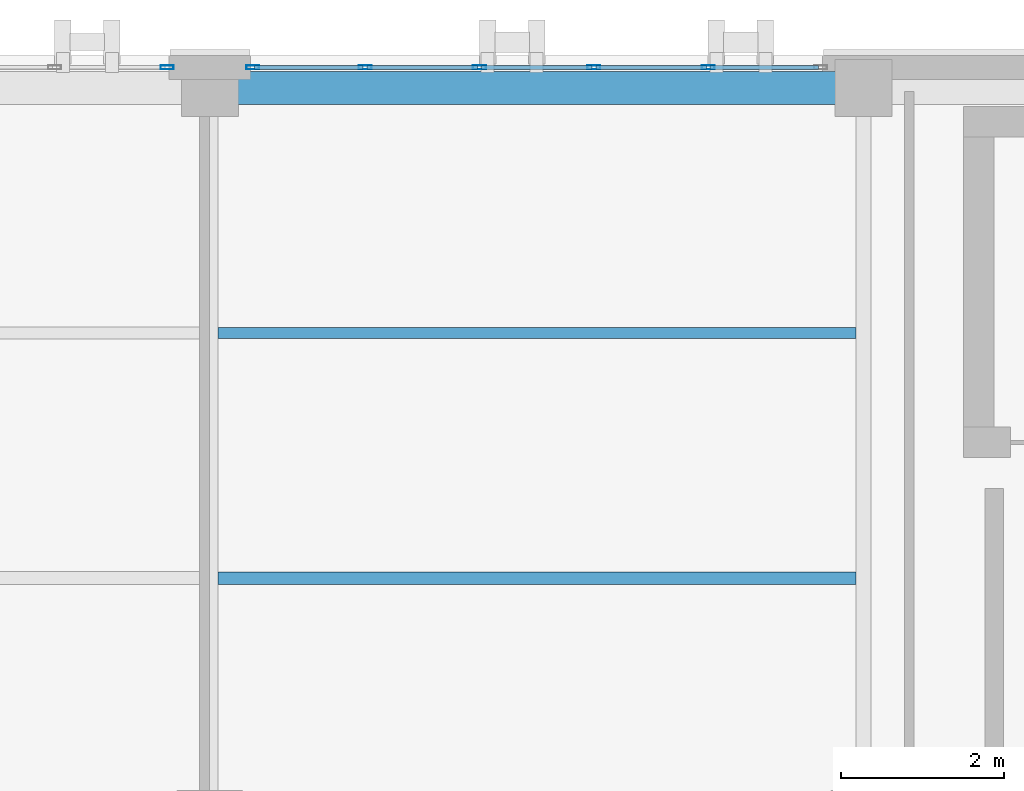
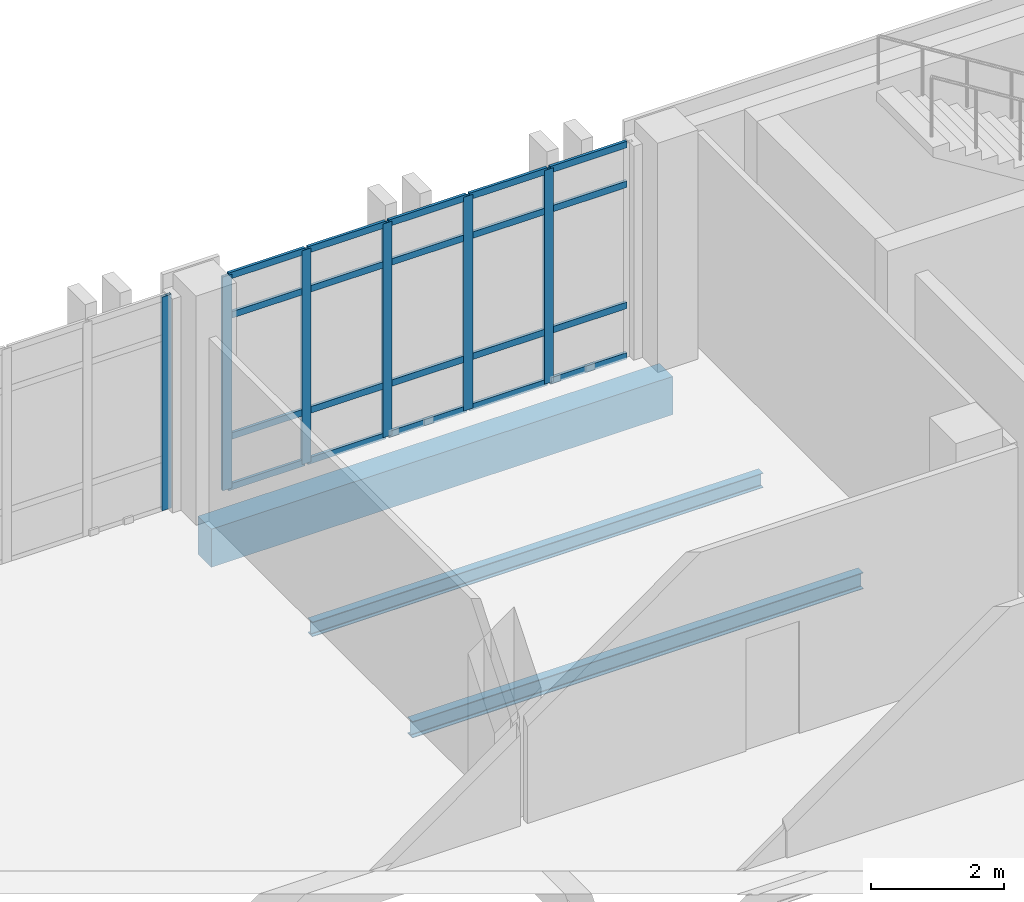
# One storey, part 88 of 165: 26 members, 3 beams, 2 elements without a shape of their own.
"""IFC4 building model written with IfcOpenShell, lengths in metres."""

from ifc_helpers import new_model, si_unit, direction, frame, origin, origin_2d, place, context, subcontext, project, spatial, rectangle, hollow_rectangle, i_section, extrude, material, layer, layer_set, material_profile, profile_set, type_object, element, aggregate, save


model = new_model("IFC4")

# Units and contexts
model_context = context("Model", 3, precision=1e-05, world=origin(), true_north=direction((0.0, 1.0)))
body_context = subcontext(model_context, "Body", "Model", "MODEL_VIEW")
ifc_project = project(units=[si_unit("LENGTHUNIT", "METRE"), si_unit("AREAUNIT", "SQUARE_METRE"), si_unit("VOLUMEUNIT", "CUBIC_METRE"), si_unit("PLANEANGLEUNIT", "RADIAN"), si_unit("MASSUNIT", "GRAM", prefix="KILO")], contexts=[model_context])

# Site, building, storey
site_placement = place(None, origin())
site = spatial("IfcSite", under=ifc_project, at=site_placement, CompositionType="ELEMENT")
building_placement = place(site_placement, origin())
building = spatial("IfcBuilding", under=site, at=building_placement, Name="Qalavern Law Courts", CompositionType="ELEMENT")
storey_placement = place(building_placement, frame((0.0, 0.0, 14.39990234375)))
storey = spatial("IfcBuildingStorey", under=building, at=storey_placement, Name="L03", CompositionType="ELEMENT", Elevation=14.39990234375)

# Curtain wall, members
ifc_material_1 = material(Name="Anodised aluminium and insulated glazing", Category="aluminium")
ifc_layer = layer(ifc_material_1, 0.166015625)
ifc_layer_set = layer_set([ifc_layer], Name="Anodised aluminium and insulated glazing")
curtain_wall_type = type_object("IfcCurtainWallType", Name="ENV-CW-LIB", PredefinedType="USERDEFINED", material=ifc_layer_set)
curtain_wall_1_placement = place(storey_placement, origin())
curtain_wall_1 = element("IfcCurtainWall", 1, at=curtain_wall_1_placement, inside=storey, type_object=curtain_wall_type, Name="V5 unitised curtain wall L03 north 6", ObjectType="UNITISED CURTAIN WALL", PredefinedType="USERDEFINED")
ifc_material_2 = material(Name="Anodised aluminium", Category="aluminium")
ifc_material_profile_1 = material_profile(ifc_material_2, hollow_rectangle(XDim=0.048095703125, YDim=0.159912109375, WallThickness=0.00390625, at=origin_2d()), Name="ALU MULLION 48x160")
ifc_profile_set_1 = profile_set([ifc_material_profile_1], Name="Anodised aluminium")
member_type_1 = type_object("IfcMemberType", Name="ENV-CWM-48x160", PredefinedType="MULLION", material=ifc_profile_set_1)
member_1_placement = place(storey_placement, frame((16.5, 112.8525390625, 0.0), z_axis=(0.0, 0.0, 1.0), x_axis=(0.0, -1.0, 0.0)))
member_1 = element("IfcMember", 2, at=member_1_placement, type_object=member_type_1, Name="CW-05 mullion 2", PredefinedType="MULLION", context=body_context, shape_type="SweptSolid", body=[
    extrude(hollow_rectangle(XDim=0.048095703125, YDim=0.159912109375, WallThickness=0.00390625, at=origin_2d()), origin(), (0.0, 0.0, 1.0), 3.920166015625),
])
member_2_placement = place(storey_placement, frame((15.10009765625, 112.8525390625, 0.0), z_axis=(0.0, 0.0, 1.0), x_axis=(0.0, -1.0, 0.0)))
member_2 = element("IfcMember", 3, at=member_2_placement, type_object=member_type_1, Name="CW-05 mullion 3", PredefinedType="MULLION", context=body_context, shape_type="SweptSolid", body=[
    extrude(hollow_rectangle(XDim=0.048095703125, YDim=0.159912109375, WallThickness=0.00390625, at=origin_2d()), origin(), (0.0, 0.0, 1.0), 3.920166015625),
])
member_3_placement = place(storey_placement, frame((13.699951171875, 112.8525390625, 0.0), z_axis=(0.0, 0.0, 1.0), x_axis=(0.0, -1.0, 0.0)))
member_3 = element("IfcMember", 4, at=member_3_placement, type_object=member_type_1, Name="CW-05 mullion 4", PredefinedType="MULLION", context=body_context, shape_type="SweptSolid", body=[
    extrude(hollow_rectangle(XDim=0.048095703125, YDim=0.159912109375, WallThickness=0.00390625, at=origin_2d()), origin(), (0.0, 0.0, 1.0), 3.920166015625),
])
member_4_placement = place(storey_placement, frame((12.300048828125, 112.8525390625, 0.0), z_axis=(0.0, 0.0, 1.0), x_axis=(0.0, -1.0, 0.0)))
member_4 = element("IfcMember", 5, at=member_4_placement, type_object=member_type_1, Name="CW-05 mullion 5", PredefinedType="MULLION", context=body_context, shape_type="SweptSolid", body=[
    extrude(hollow_rectangle(XDim=0.048095703125, YDim=0.159912109375, WallThickness=0.00390625, at=origin_2d()), origin(), (0.0, 0.0, 1.0), 3.920166015625),
])
member_5_placement = place(storey_placement, frame((10.924072265625, 112.8525390625, 0.0), z_axis=(0.0, 0.0, 1.0), x_axis=(0.0, -1.0, 0.0)))
member_5 = element("IfcMember", 6, at=member_5_placement, type_object=member_type_1, Name="CW-05 mullion 6", PredefinedType="MULLION", context=body_context, shape_type="SweptSolid", body=[
    extrude(hollow_rectangle(XDim=0.048095703125, YDim=0.159912109375, WallThickness=0.00390625, at=origin_2d()), origin(), (0.0, 0.0, 1.0), 3.920166015625),
])

# Curtain wall, member
curtain_wall_2_placement = place(storey_placement, origin())
curtain_wall_2 = element("IfcCurtainWall", 7, at=curtain_wall_2_placement, inside=storey, type_object=curtain_wall_type, Name="V5 unitised curtain wall L03 north 7", ObjectType="UNITISED CURTAIN WALL", PredefinedType="USERDEFINED")
member_6_placement = place(storey_placement, frame((9.8759765625, 112.8525390625, 0.0), z_axis=(0.0, 0.0, 1.0), x_axis=(0.0, -1.0, 0.0)))
member_6 = element("IfcMember", 8, at=member_6_placement, type_object=member_type_1, Name="CW-05 mullion 1", PredefinedType="MULLION", context=body_context, shape_type="SweptSolid", body=[
    extrude(hollow_rectangle(XDim=0.048095703125, YDim=0.159912109375, WallThickness=0.00390625, at=origin_2d()), origin(), (0.0, 0.0, 1.0), 3.920166015625),
])
aggregate(curtain_wall_2, [member_6])

# Member
ifc_material_profile_2 = material_profile(ifc_material_2, hollow_rectangle(XDim=0.048095703125, YDim=0.1201171875, WallThickness=0.00390625, at=origin_2d()), Name="ALU TRANSOM 48x120")
ifc_profile_set_2 = profile_set([ifc_material_profile_2], Name="Anodised aluminium")
member_type_2 = type_object("IfcMemberType", Name="ENV-CWT-48x120", PredefinedType="USERDEFINED", material=ifc_profile_set_2)
member_7_placement = place(storey_placement, frame((17.85205078125, 112.8525390625, 0.024169921875), z_axis=(-1.0, 0.0, 0.0), x_axis=(0.0, -1.0, 0.0)))
member_7 = element("IfcMember", 9, at=member_7_placement, type_object=member_type_2, Name="CW-05 transom 1.1", ObjectType="TRANSOM", PredefinedType="USERDEFINED", context=body_context, shape_type="SweptSolid", body=[
    extrude(hollow_rectangle(XDim=0.048095703125, YDim=0.1201171875, WallThickness=0.00390625, at=origin_2d()), origin(), (0.0, 0.0, 1.0), 1.328125),
])

member_8_placement = place(storey_placement, frame((17.85205078125, 112.8525390625, 0.9501953125), z_axis=(-1.0, 0.0, 0.0), x_axis=(0.0, -1.0, 0.0)))
member_8 = element("IfcMember", 10, at=member_8_placement, type_object=member_type_2, Name="CW-05 transom 1.2", ObjectType="TRANSOM", PredefinedType="USERDEFINED", context=body_context, shape_type="SweptSolid", body=[
    extrude(hollow_rectangle(XDim=0.048095703125, YDim=0.1201171875, WallThickness=0.00390625, at=origin_2d()), origin(), (0.0, 0.0, 1.0), 1.328125),
])

member_9_placement = place(storey_placement, frame((17.85205078125, 112.8525390625, 3.170166015625), z_axis=(-1.0, 0.0, 0.0), x_axis=(0.0, -1.0, 0.0)))
member_9 = element("IfcMember", 11, at=member_9_placement, type_object=member_type_2, Name="CW-05 transom 1.3", ObjectType="TRANSOM", PredefinedType="USERDEFINED", context=body_context, shape_type="SweptSolid", body=[
    extrude(hollow_rectangle(XDim=0.048095703125, YDim=0.1201171875, WallThickness=0.00390625, at=origin_2d()), origin(), (0.0, 0.0, 1.0), 1.328125),
])

member_10_placement = place(storey_placement, frame((17.85205078125, 112.8525390625, 3.89599609375), z_axis=(-1.0, 0.0, 0.0), x_axis=(0.0, -1.0, 0.0)))
member_10 = element("IfcMember", 12, at=member_10_placement, type_object=member_type_2, Name="CW-05 transom 1.4", ObjectType="TRANSOM", PredefinedType="USERDEFINED", context=body_context, shape_type="SweptSolid", body=[
    extrude(hollow_rectangle(XDim=0.048095703125, YDim=0.1201171875, WallThickness=0.00390625, at=origin_2d()), origin(), (0.0, 0.0, 1.0), 1.328125),
])

member_11_placement = place(storey_placement, frame((16.47607421875, 112.8525390625, 0.024169921875), z_axis=(-1.0, 0.0, 0.0), x_axis=(0.0, -1.0, 0.0)))
member_11 = element("IfcMember", 13, at=member_11_placement, type_object=member_type_2, Name="CW-05 transom 2.1", ObjectType="TRANSOM", PredefinedType="USERDEFINED", context=body_context, shape_type="SweptSolid", body=[
    extrude(hollow_rectangle(XDim=0.048095703125, YDim=0.1201171875, WallThickness=0.00390625, at=origin_2d()), origin(), (0.0, 0.0, 1.0), 1.35205078125),
])

member_12_placement = place(storey_placement, frame((16.47607421875, 112.8525390625, 0.9501953125), z_axis=(-1.0, 0.0, 0.0), x_axis=(0.0, -1.0, 0.0)))
member_12 = element("IfcMember", 14, at=member_12_placement, type_object=member_type_2, Name="CW-05 transom 2.2", ObjectType="TRANSOM", PredefinedType="USERDEFINED", context=body_context, shape_type="SweptSolid", body=[
    extrude(hollow_rectangle(XDim=0.048095703125, YDim=0.1201171875, WallThickness=0.00390625, at=origin_2d()), origin(), (0.0, 0.0, 1.0), 1.35205078125),
])

member_13_placement = place(storey_placement, frame((16.47607421875, 112.8525390625, 3.170166015625), z_axis=(-1.0, 0.0, 0.0), x_axis=(0.0, -1.0, 0.0)))
member_13 = element("IfcMember", 15, at=member_13_placement, type_object=member_type_2, Name="CW-05 transom 2.3", ObjectType="TRANSOM", PredefinedType="USERDEFINED", context=body_context, shape_type="SweptSolid", body=[
    extrude(hollow_rectangle(XDim=0.048095703125, YDim=0.1201171875, WallThickness=0.00390625, at=origin_2d()), origin(), (0.0, 0.0, 1.0), 1.35205078125),
])

member_14_placement = place(storey_placement, frame((16.47607421875, 112.8525390625, 3.89599609375), z_axis=(-1.0, 0.0, 0.0), x_axis=(0.0, -1.0, 0.0)))
member_14 = element("IfcMember", 16, at=member_14_placement, type_object=member_type_2, Name="CW-05 transom 2.4", ObjectType="TRANSOM", PredefinedType="USERDEFINED", context=body_context, shape_type="SweptSolid", body=[
    extrude(hollow_rectangle(XDim=0.048095703125, YDim=0.1201171875, WallThickness=0.00390625, at=origin_2d()), origin(), (0.0, 0.0, 1.0), 1.35205078125),
])

member_15_placement = place(storey_placement, frame((15.075927734375, 112.8525390625, 0.024169921875), z_axis=(-1.0, 0.0, 0.0), x_axis=(0.0, -1.0, 0.0)))
member_15 = element("IfcMember", 17, at=member_15_placement, type_object=member_type_2, Name="CW-05 transom 3.1", ObjectType="TRANSOM", PredefinedType="USERDEFINED", context=body_context, shape_type="SweptSolid", body=[
    extrude(hollow_rectangle(XDim=0.048095703125, YDim=0.1201171875, WallThickness=0.00390625, at=origin_2d()), origin(), (0.0, 0.0, 1.0), 1.351806640625),
])

member_16_placement = place(storey_placement, frame((15.075927734375, 112.8525390625, 0.9501953125), z_axis=(-1.0, 0.0, 0.0), x_axis=(0.0, -1.0, 0.0)))
member_16 = element("IfcMember", 18, at=member_16_placement, type_object=member_type_2, Name="CW-05 transom 3.2", ObjectType="TRANSOM", PredefinedType="USERDEFINED", context=body_context, shape_type="SweptSolid", body=[
    extrude(hollow_rectangle(XDim=0.048095703125, YDim=0.1201171875, WallThickness=0.00390625, at=origin_2d()), origin(), (0.0, 0.0, 1.0), 1.351806640625),
])

member_17_placement = place(storey_placement, frame((15.075927734375, 112.8525390625, 3.170166015625), z_axis=(-1.0, 0.0, 0.0), x_axis=(0.0, -1.0, 0.0)))
member_17 = element("IfcMember", 19, at=member_17_placement, type_object=member_type_2, Name="CW-05 transom 3.3", ObjectType="TRANSOM", PredefinedType="USERDEFINED", context=body_context, shape_type="SweptSolid", body=[
    extrude(hollow_rectangle(XDim=0.048095703125, YDim=0.1201171875, WallThickness=0.00390625, at=origin_2d()), origin(), (0.0, 0.0, 1.0), 1.351806640625),
])

member_18_placement = place(storey_placement, frame((15.075927734375, 112.8525390625, 3.89599609375), z_axis=(-1.0, 0.0, 0.0), x_axis=(0.0, -1.0, 0.0)))
member_18 = element("IfcMember", 20, at=member_18_placement, type_object=member_type_2, Name="CW-05 transom 3.4", ObjectType="TRANSOM", PredefinedType="USERDEFINED", context=body_context, shape_type="SweptSolid", body=[
    extrude(hollow_rectangle(XDim=0.048095703125, YDim=0.1201171875, WallThickness=0.00390625, at=origin_2d()), origin(), (0.0, 0.0, 1.0), 1.351806640625),
])

member_19_placement = place(storey_placement, frame((13.676025390625, 112.8525390625, 0.024169921875), z_axis=(-1.0, 0.0, 0.0), x_axis=(0.0, -1.0, 0.0)))
member_19 = element("IfcMember", 21, at=member_19_placement, type_object=member_type_2, Name="CW-05 transom 4.1", ObjectType="TRANSOM", PredefinedType="USERDEFINED", context=body_context, shape_type="SweptSolid", body=[
    extrude(hollow_rectangle(XDim=0.048095703125, YDim=0.1201171875, WallThickness=0.00390625, at=origin_2d()), origin(), (0.0, 0.0, 1.0), 1.35205078125),
])

member_20_placement = place(storey_placement, frame((13.676025390625, 112.8525390625, 0.9501953125), z_axis=(-1.0, 0.0, 0.0), x_axis=(0.0, -1.0, 0.0)))
member_20 = element("IfcMember", 22, at=member_20_placement, type_object=member_type_2, Name="CW-05 transom 4.2", ObjectType="TRANSOM", PredefinedType="USERDEFINED", context=body_context, shape_type="SweptSolid", body=[
    extrude(hollow_rectangle(XDim=0.048095703125, YDim=0.1201171875, WallThickness=0.00390625, at=origin_2d()), origin(), (0.0, 0.0, 1.0), 1.35205078125),
])

member_21_placement = place(storey_placement, frame((13.676025390625, 112.8525390625, 3.170166015625), z_axis=(-1.0, 0.0, 0.0), x_axis=(0.0, -1.0, 0.0)))
member_21 = element("IfcMember", 23, at=member_21_placement, type_object=member_type_2, Name="CW-05 transom 4.3", ObjectType="TRANSOM", PredefinedType="USERDEFINED", context=body_context, shape_type="SweptSolid", body=[
    extrude(hollow_rectangle(XDim=0.048095703125, YDim=0.1201171875, WallThickness=0.00390625, at=origin_2d()), origin(), (0.0, 0.0, 1.0), 1.35205078125),
])

member_22_placement = place(storey_placement, frame((13.676025390625, 112.8525390625, 3.89599609375), z_axis=(-1.0, 0.0, 0.0), x_axis=(0.0, -1.0, 0.0)))
member_22 = element("IfcMember", 24, at=member_22_placement, type_object=member_type_2, Name="CW-05 transom 4.4", ObjectType="TRANSOM", PredefinedType="USERDEFINED", context=body_context, shape_type="SweptSolid", body=[
    extrude(hollow_rectangle(XDim=0.048095703125, YDim=0.1201171875, WallThickness=0.00390625, at=origin_2d()), origin(), (0.0, 0.0, 1.0), 1.35205078125),
])

member_23_placement = place(storey_placement, frame((12.27587890625, 112.8525390625, 0.024169921875), z_axis=(-1.0, 0.0, 0.0), x_axis=(0.0, -1.0, 0.0)))
member_23 = element("IfcMember", 25, at=member_23_placement, type_object=member_type_2, Name="CW-05 transom 5.1", ObjectType="TRANSOM", PredefinedType="USERDEFINED", context=body_context, shape_type="SweptSolid", body=[
    extrude(hollow_rectangle(XDim=0.048095703125, YDim=0.1201171875, WallThickness=0.00390625, at=origin_2d()), origin(), (0.0, 0.0, 1.0), 1.327880859375),
])

member_24_placement = place(storey_placement, frame((12.27587890625, 112.8525390625, 0.9501953125), z_axis=(-1.0, 0.0, 0.0), x_axis=(0.0, -1.0, 0.0)))
member_24 = element("IfcMember", 26, at=member_24_placement, type_object=member_type_2, Name="CW-05 transom 5.2", ObjectType="TRANSOM", PredefinedType="USERDEFINED", context=body_context, shape_type="SweptSolid", body=[
    extrude(hollow_rectangle(XDim=0.048095703125, YDim=0.1201171875, WallThickness=0.00390625, at=origin_2d()), origin(), (0.0, 0.0, 1.0), 1.327880859375),
])

member_25_placement = place(storey_placement, frame((12.27587890625, 112.8525390625, 3.170166015625), z_axis=(-1.0, 0.0, 0.0), x_axis=(0.0, -1.0, 0.0)))
member_25 = element("IfcMember", 27, at=member_25_placement, type_object=member_type_2, Name="CW-05 transom 5.3", ObjectType="TRANSOM", PredefinedType="USERDEFINED", context=body_context, shape_type="SweptSolid", body=[
    extrude(hollow_rectangle(XDim=0.048095703125, YDim=0.1201171875, WallThickness=0.00390625, at=origin_2d()), origin(), (0.0, 0.0, 1.0), 1.327880859375),
])

member_26_placement = place(storey_placement, frame((12.27587890625, 112.8525390625, 3.89599609375), z_axis=(-1.0, 0.0, 0.0), x_axis=(0.0, -1.0, 0.0)))
member_26 = element("IfcMember", 28, at=member_26_placement, type_object=member_type_2, Name="CW-05 transom 5.4", ObjectType="TRANSOM", PredefinedType="USERDEFINED", context=body_context, shape_type="SweptSolid", body=[
    extrude(hollow_rectangle(XDim=0.048095703125, YDim=0.1201171875, WallThickness=0.00390625, at=origin_2d()), origin(), (0.0, 0.0, 1.0), 1.327880859375),
])

aggregate(curtain_wall_1, [member_1, member_2, member_3, member_4, member_5, member_7, member_8, member_9, member_10, member_11, member_12, member_13, member_14, member_15, member_16, member_17, member_18, member_19, member_20, member_21, member_22, member_23, member_24, member_25, member_26])

# Beams
ifc_material_3 = material(Name="Steel S355", Category="steel")
ifc_material_profile_3 = material_profile(ifc_material_3, i_section(OverallWidth=0.135009765625, OverallDepth=0.27001953125, WebThickness=0.006591796875, FlangeThickness=0.01025390625, FilletRadius=0.014892578125, at=origin_2d()), Name="IPE 270")
ifc_profile_set_3 = profile_set([ifc_material_profile_3], Name="Steel S355")
beam_type_1 = type_object("IfcBeamType", Name="STR-JST-IPE270", PredefinedType="JOIST", material=ifc_profile_set_3)
beam_1_placement = place(storey_placement, frame((10.498046875, 109.60009765625, -0.419921875), z_axis=(1.0, 0.0, 0.0), x_axis=(0.0, 1.0, 0.0)))
element("IfcBeam", 29, at=beam_1_placement, inside=storey, type_object=beam_type_1, Name="V5 secondary joist 2.2.2 L03", PredefinedType="JOIST", context=body_context, shape_type="SweptSolid", body=[
    extrude(i_section(OverallWidth=0.135009765625, OverallDepth=0.27001953125, WebThickness=0.006591796875, FlangeThickness=0.01025390625, FilletRadius=0.014892578125, at=origin_2d()), origin(), (0.0, 0.0, 1.0), 7.81396484375),
])
ifc_material_profile_4 = material_profile(ifc_material_3, i_section(OverallWidth=0.14990234375, OverallDepth=0.300048828125, WebThickness=0.007080078125, FlangeThickness=0.0107421875, FilletRadius=0.014892578125, at=origin_2d()), Name="IPE 300")
ifc_profile_set_4 = profile_set([ifc_material_profile_4], Name="Steel S355")
beam_type_2 = type_object("IfcBeamType", Name="STR-JST-IPE300", PredefinedType="JOIST", material=ifc_profile_set_4)
beam_2_placement = place(storey_placement, frame((10.498046875, 106.60009765625, -0.434814453125), z_axis=(1.0, 0.0, 0.0), x_axis=(0.0, 1.0, 0.0)))
element("IfcBeam", 30, at=beam_2_placement, inside=storey, type_object=beam_type_2, Name="V5 secondary joist 2.2.1 L03", PredefinedType="JOIST", context=body_context, shape_type="SweptSolid", body=[
    extrude(i_section(OverallWidth=0.14990234375, OverallDepth=0.300048828125, WebThickness=0.007080078125, FlangeThickness=0.0107421875, FilletRadius=0.014892578125, at=origin_2d()), origin(), (0.0, 0.0, 1.0), 7.81396484375),
])
ifc_material_4 = material(Name="Concrete C40/50", Category="concrete")
ifc_material_profile_5 = material_profile(ifc_material_4, rectangle(XDim=0.39990234375, YDim=0.699951171875, at=origin_2d()), Name="RC 400x700")
ifc_profile_set_5 = profile_set([ifc_material_profile_5], Name="Concrete C40/50")
beam_type_3 = type_object("IfcBeamType", Name="STR-SP-RC400x700", PredefinedType="SPANDREL", material=ifc_profile_set_5)
beam_3_placement = place(storey_placement, frame((10.39990234375, 112.60009765625, -0.635009765625), z_axis=(1.0, 0.0, 0.0), x_axis=(0.0, 1.0, 0.0)))
element("IfcBeam", 31, at=beam_3_placement, inside=storey, type_object=beam_type_3, Name="V5 X-beam 3-2 L03", PredefinedType="SPANDREL", context=body_context, shape_type="SweptSolid", body=[
    extrude(rectangle(XDim=0.39990234375, YDim=0.699951171875, at=origin_2d()), origin(), (0.0, 0.0, 1.0), 8.0),
])

save(model, "model.ifc")
